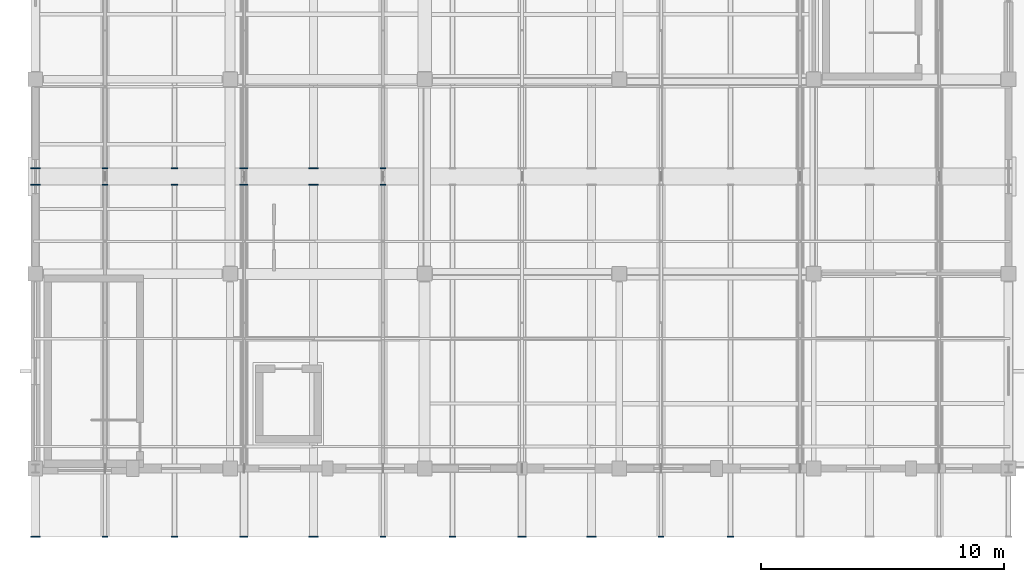
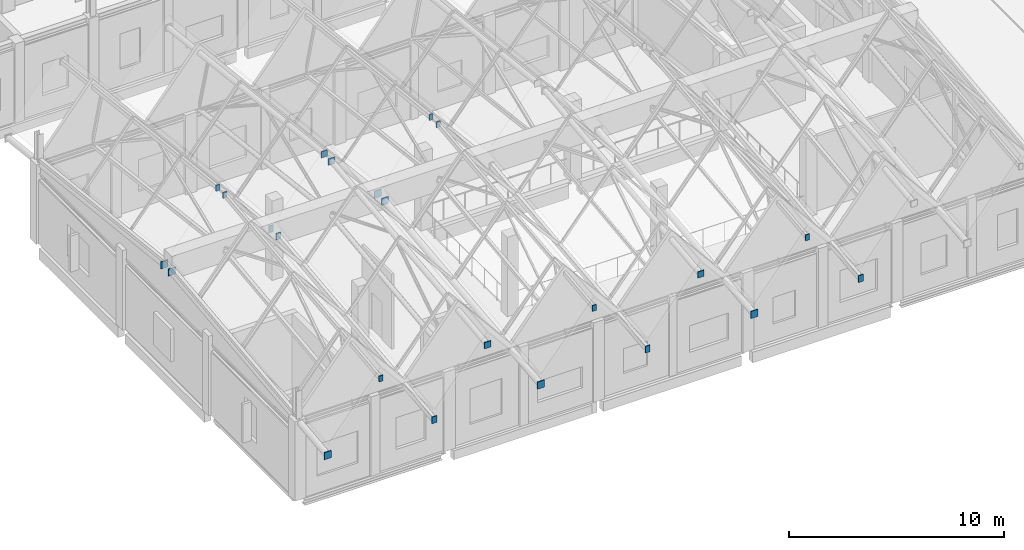
# One storey, part 53 of 77: 23 discrete accessories.
"""IFC4 building model written with IfcOpenShell, lengths in metres."""

from ifc_helpers import new_model, si_unit, direction, frame, origin, origin_2d, place, context, subcontext, project, spatial, rectangle, extrude, material, type_object, element, save


model = new_model("IFC4")

# Units and contexts
model_context = context("Model", 3, precision=1e-05, world=origin(), true_north=direction((0.0, 1.0)))
body_context = subcontext(model_context, "Body", "Model", "MODEL_VIEW")
ifc_project = project(units=[si_unit("LENGTHUNIT", "METRE"), si_unit("AREAUNIT", "SQUARE_METRE"), si_unit("VOLUMEUNIT", "CUBIC_METRE"), si_unit("PLANEANGLEUNIT", "RADIAN"), si_unit("MASSUNIT", "GRAM", prefix="KILO")], contexts=[model_context])

# Site, building, storey
site_placement = place(None, origin())
site = spatial("IfcSite", under=ifc_project, at=site_placement, CompositionType="ELEMENT")
building_placement = place(site_placement, origin())
building = spatial("IfcBuilding", under=site, at=building_placement, Name="Luwemba Playhouse", CompositionType="ELEMENT")
storey_placement = place(building_placement, frame((0.0, 0.0, 9.300048828125)))
storey = spatial("IfcBuildingStorey", under=building, at=storey_placement, Name="L02", CompositionType="ELEMENT", Elevation=9.300048828125)

# Discrete accessories
ifc_material = material(Name="Steel S355", Category="steel")
discrete_accessory_type = type_object("IfcDiscreteAccessoryType", Name="ACC-ENDCAP-S355", PredefinedType="BRACKET", material=ifc_material)
for number, where, z_axis, x_axis, name in (
    (1, (4.0, 0.18505859375, 3.845703125), (0.0, 0.0, 1.0), (1.0, 0.0, 0.0), "Welded RHS end cap plate 0317"),
    (2, (4.0, 14.664794921875, 5.4697265625), (0.0, 0.0, 1.0), (1.0, 0.0, 0.0), "Welded RHS end cap plate 0318"),
    (3, (4.0, 15.335205078125, 5.4697265625), (0.0, 0.0, 1.0), (1.0, 0.0, 0.0), "Welded RHS end cap plate 0319"),
):
    element("IfcDiscreteAccessory", number, at=place(storey_placement, frame(where, z_axis=z_axis, x_axis=x_axis)), inside=storey, type_object=discrete_accessory_type, Name=name, PredefinedType="BRACKET", context=body_context, shape_type="SweptSolid", body=[
        extrude(rectangle(XDim=0.384033203125, YDim=0.044921875, at=origin_2d()), origin(), (0.0, 0.0, 1.0), 0.404052734375),
    ])
for number, where, z_axis, x_axis, name in (
    (4, (6.857177734375, 0.18505859375, 7.224609375), (0.0, 0.0, 1.0), (1.0, 0.0, 0.0), "Welded RHS end cap plate 0321"),
    (5, (6.857177734375, 14.664794921875, 8.848876953125), (0.0, 0.0, 1.0), (1.0, 0.0, 0.0), "Welded RHS end cap plate 0322"),
    (6, (6.857177734375, 15.335205078125, 8.848876953125), (0.0, 0.0, 1.0), (1.0, 0.0, 0.0), "Welded RHS end cap plate 0323"),
):
    element("IfcDiscreteAccessory", number, at=place(storey_placement, frame(where, z_axis=z_axis, x_axis=x_axis)), inside=storey, type_object=discrete_accessory_type, Name=name, PredefinedType="BRACKET", context=body_context, shape_type="SweptSolid", body=[
        extrude(rectangle(XDim=0.2099609375, YDim=0.044921875, at=origin_2d()), origin(), (0.0, 0.0, 1.0), 0.330078125),
    ])
for number, where, z_axis, x_axis, name in (
    (7, (9.71435546875, 0.18505859375, 3.86962890625), (0.0, 0.0, 1.0), (1.0, 0.0, 0.0), "Welded RHS end cap plate 0325"),
    (8, (9.71435546875, 14.664794921875, 5.493896484375), (0.0, 0.0, 1.0), (1.0, 0.0, 0.0), "Welded RHS end cap plate 0326"),
    (9, (9.71435546875, 15.335205078125, 5.493896484375), (0.0, 0.0, 1.0), (1.0, 0.0, 0.0), "Welded RHS end cap plate 0327"),
):
    element("IfcDiscreteAccessory", number, at=place(storey_placement, frame(where, z_axis=z_axis, x_axis=x_axis)), inside=storey, type_object=discrete_accessory_type, Name=name, PredefinedType="BRACKET", context=body_context, shape_type="SweptSolid", body=[
        extrude(rectangle(XDim=0.260009765625, YDim=0.044921875, at=origin_2d()), origin(), (0.0, 0.0, 1.0), 0.3798828125),
    ])
for number, where, z_axis, x_axis, name in (
    (10, (12.5712890625, 0.18505859375, 7.127197265625), (0.0, 0.0, 1.0), (1.0, 0.0, 0.0), "Welded RHS end cap plate 0329"),
    (11, (12.5712890625, 14.664794921875, 8.75146484375), (0.0, 0.0, 1.0), (1.0, 0.0, 0.0), "Welded RHS end cap plate 0330"),
    (12, (12.5712890625, 15.335205078125, 8.75146484375), (0.0, 0.0, 1.0), (1.0, 0.0, 0.0), "Welded RHS end cap plate 0331"),
):
    element("IfcDiscreteAccessory", number, at=place(storey_placement, frame(where, z_axis=z_axis, x_axis=x_axis)), inside=storey, type_object=discrete_accessory_type, Name=name, PredefinedType="BRACKET", context=body_context, shape_type="SweptSolid", body=[
        extrude(rectangle(XDim=0.3330078125, YDim=0.044921875, at=origin_2d()), origin(), (0.0, 0.0, 1.0), 0.35302734375),
    ])
for number, where, z_axis, x_axis, name in (
    (13, (15.4287109375, 0.18505859375, 3.845703125), (0.0, 0.0, 1.0), (1.0, 0.0, 0.0), "Welded RHS end cap plate 0333"),
    (14, (15.4287109375, 14.664794921875, 5.4697265625), (0.0, 0.0, 1.0), (1.0, 0.0, 0.0), "Welded RHS end cap plate 0334"),
    (15, (15.4287109375, 15.335205078125, 5.4697265625), (0.0, 0.0, 1.0), (1.0, 0.0, 0.0), "Welded RHS end cap plate 0335"),
):
    element("IfcDiscreteAccessory", number, at=place(storey_placement, frame(where, z_axis=z_axis, x_axis=x_axis)), inside=storey, type_object=discrete_accessory_type, Name=name, PredefinedType="BRACKET", context=body_context, shape_type="SweptSolid", body=[
        extrude(rectangle(XDim=0.384033203125, YDim=0.044921875, at=origin_2d()), origin(), (0.0, 0.0, 1.0), 0.404052734375),
    ])
for number, where, z_axis, x_axis, name in (
    (16, (18.28564453125, 0.18505859375, 7.224609375), (0.0, 0.0, 1.0), (1.0, 0.0, 0.0), "Welded RHS end cap plate 0337"),
    (17, (18.28564453125, 14.664794921875, 8.848876953125), (0.0, 0.0, 1.0), (1.0, 0.0, 0.0), "Welded RHS end cap plate 0338"),
    (18, (18.28564453125, 15.335205078125, 8.848876953125), (0.0, 0.0, 1.0), (1.0, 0.0, 0.0), "Welded RHS end cap plate 0339"),
):
    element("IfcDiscreteAccessory", number, at=place(storey_placement, frame(where, z_axis=z_axis, x_axis=x_axis)), inside=storey, type_object=discrete_accessory_type, Name=name, PredefinedType="BRACKET", context=body_context, shape_type="SweptSolid", body=[
        extrude(rectangle(XDim=0.2099609375, YDim=0.044921875, at=origin_2d()), origin(), (0.0, 0.0, 1.0), 0.330078125),
    ])
discrete_accessory_1_placement = place(storey_placement, frame((21.142822265625, 0.18505859375, 3.86962890625), z_axis=(0.0, 0.0, 1.0), x_axis=(1.0, 0.0, 0.0)))
element("IfcDiscreteAccessory", 19, at=discrete_accessory_1_placement, inside=storey, type_object=discrete_accessory_type, Name="Welded RHS end cap plate 0341", PredefinedType="BRACKET", context=body_context, shape_type="SweptSolid", body=[
    extrude(rectangle(XDim=0.260009765625, YDim=0.044921875, at=origin_2d()), origin(), (0.0, 0.0, 1.0), 0.3798828125),
])
discrete_accessory_2_placement = place(storey_placement, frame((24.0, 0.18505859375, 7.127197265625), z_axis=(0.0, 0.0, 1.0), x_axis=(1.0, 0.0, 0.0)))
element("IfcDiscreteAccessory", 20, at=discrete_accessory_2_placement, inside=storey, type_object=discrete_accessory_type, Name="Welded RHS end cap plate 0345", PredefinedType="BRACKET", context=body_context, shape_type="SweptSolid", body=[
    extrude(rectangle(XDim=0.3330078125, YDim=0.044921875, at=origin_2d()), origin(), (0.0, 0.0, 1.0), 0.35302734375),
])
discrete_accessory_3_placement = place(storey_placement, frame((26.857177734375, 0.18505859375, 3.845703125), z_axis=(0.0, 0.0, 1.0), x_axis=(1.0, 0.0, 0.0)))
element("IfcDiscreteAccessory", 21, at=discrete_accessory_3_placement, inside=storey, type_object=discrete_accessory_type, Name="Welded RHS end cap plate 0349", PredefinedType="BRACKET", context=body_context, shape_type="SweptSolid", body=[
    extrude(rectangle(XDim=0.384033203125, YDim=0.044921875, at=origin_2d()), origin(), (0.0, 0.0, 1.0), 0.404052734375),
])
discrete_accessory_4_placement = place(storey_placement, frame((29.71435546875, 0.18505859375, 7.224609375), z_axis=(0.0, 0.0, 1.0), x_axis=(1.0, 0.0, 0.0)))
element("IfcDiscreteAccessory", 22, at=discrete_accessory_4_placement, inside=storey, type_object=discrete_accessory_type, Name="Welded RHS end cap plate 0353", PredefinedType="BRACKET", context=body_context, shape_type="SweptSolid", body=[
    extrude(rectangle(XDim=0.2099609375, YDim=0.044921875, at=origin_2d()), origin(), (0.0, 0.0, 1.0), 0.330078125),
])
discrete_accessory_5_placement = place(storey_placement, frame((32.5712890625, 0.18505859375, 3.86962890625), z_axis=(0.0, 0.0, 1.0), x_axis=(1.0, 0.0, 0.0)))
element("IfcDiscreteAccessory", 23, at=discrete_accessory_5_placement, inside=storey, type_object=discrete_accessory_type, Name="Welded RHS end cap plate 0357", PredefinedType="BRACKET", context=body_context, shape_type="SweptSolid", body=[
    extrude(rectangle(XDim=0.260009765625, YDim=0.044921875, at=origin_2d()), origin(), (0.0, 0.0, 1.0), 0.3798828125),
])

save(model, "model.ifc")
